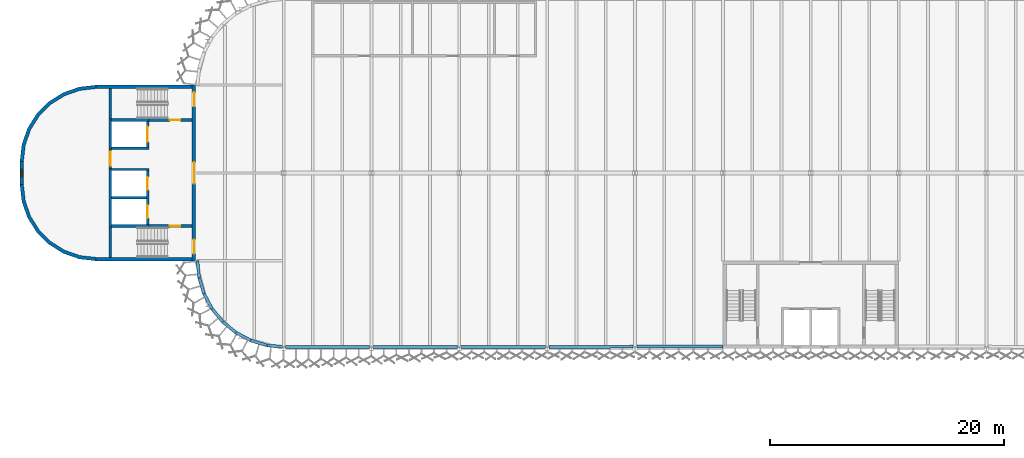
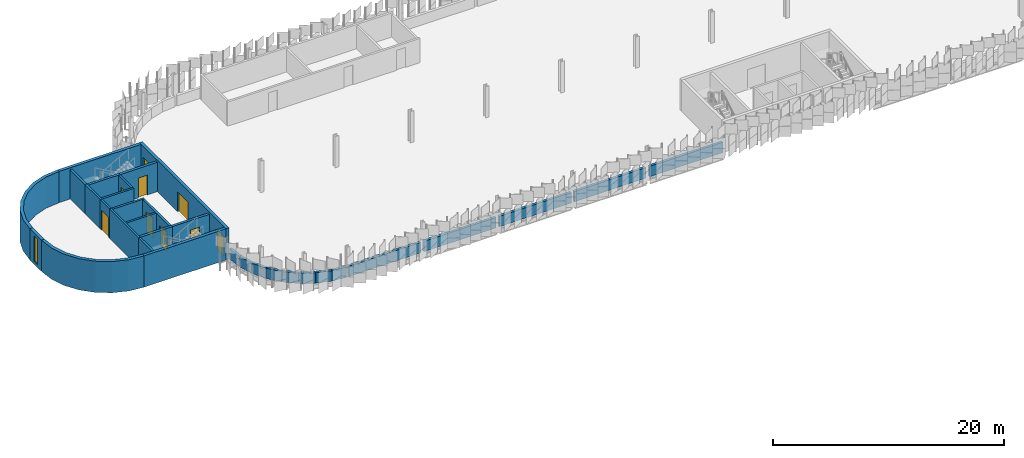
# One storey, part 49 of 198: 33 walls, 9 doors, 1 window, 10 openings.
"""IFC4 building model written with IfcOpenShell, lengths in metres."""

from ifc_helpers import new_model, si_unit, direction, frame, frame_2d, origin, place, context, subcontext, project, spatial, polyline, rectangle, outline, extrude, material, layer, layer_set, type_object, element, fill, save


model = new_model("IFC4")

# Units and contexts
model_context = context("Model", 3, precision=1e-05, world=origin(), true_north=direction((0.0, 1.0)))
body_context = subcontext(model_context, "Body", "Model", "MODEL_VIEW")
ifc_project = project(units=[si_unit("LENGTHUNIT", "METRE"), si_unit("AREAUNIT", "SQUARE_METRE"), si_unit("VOLUMEUNIT", "CUBIC_METRE"), si_unit("PLANEANGLEUNIT", "RADIAN"), si_unit("MASSUNIT", "GRAM", prefix="KILO")], contexts=[model_context])

# Site, building, storey
site_placement = place(None, origin())
site = spatial("IfcSite", under=ifc_project, at=site_placement, CompositionType="ELEMENT")
building_placement = place(site_placement, origin())
building = spatial("IfcBuilding", under=site, at=building_placement, Name="Parallax Yard Mobility Hub", CompositionType="ELEMENT")
storey_placement = place(building_placement, frame((0.0, 0.0, 6.60009765625)))
storey = spatial("IfcBuildingStorey", under=building, at=storey_placement, Name="L02", CompositionType="ELEMENT", Elevation=6.60009765625)

# Wall, openings, doors
ifc_material_1 = material(Name="Concrete fc' 35 MPa", Category="concrete")
ifc_layer_1 = layer(ifc_material_1, 0.300048828125)
ifc_layer_set_1 = layer_set([ifc_layer_1], Name="Concrete fc' 35 MPa core wall 300")
wall_type_1 = type_object("IfcWallType", Name="Concrete fc' 35 MPa core wall 300", PredefinedType="SHEAR", material=ifc_layer_set_1)
wall_1_placement = place(storey_placement, frame((22.35009765625, 135.0, 0.0), z_axis=(0.0, 0.0, 1.0), x_axis=(0.0, -1.0, 0.0)))
wall_1 = element("IfcWall", 1, at=wall_1_placement, inside=storey, type_object=wall_type_1, Name="Core C-W entry wall level L02", PredefinedType="SHEAR", context=body_context, shape_type="SweptSolid", body=[
    extrude(rectangle(XDim=15.0, YDim=0.300048828125, at=frame_2d((7.5, 0.0))), origin(), (0.0, 0.0, 1.0), 3.2998046875),
])
opening_1_placement = place(wall_1_placement, frame((13.179931640625, 0.0, 0.0)))
opening_1 = element("IfcOpeningElement", 2, at=opening_1_placement, cuts=wall_1, Name="Opening L02-D700", PredefinedType="OPENING", context=body_context, shape_type="SweptSolid", body=[
    extrude(rectangle(XDim=1.199951171875, YDim=2.10009765625, at=frame_2d((0.60009765625, 1.050048828125))), frame((0.0, 0.16015625, 0.0), z_axis=(0.0, -1.0, 0.0), x_axis=(1.0, 0.0, 0.0)), (0.0, 0.0, 1.0), 0.320068359375),
])
opening_2_placement = place(wall_1_placement, frame((0.6201171875, 0.0, 0.0)))
opening_2 = element("IfcOpeningElement", 3, at=opening_2_placement, cuts=wall_1, Name="Opening L02-D701", PredefinedType="OPENING", context=body_context, shape_type="SweptSolid", body=[
    extrude(rectangle(XDim=1.199951171875, YDim=2.10009765625, at=frame_2d((0.60009765625, 1.050048828125))), frame((0.0, 0.16015625, 0.0), z_axis=(0.0, -1.0, 0.0), x_axis=(1.0, 0.0, 0.0)), (0.0, 0.0, 1.0), 0.320068359375),
])
opening_3_placement = place(wall_1_placement, frame((6.60009765625, 0.0, 0.0)))
opening_3 = element("IfcOpeningElement", 4, at=opening_3_placement, cuts=wall_1, Name="Opening L02-D702", PredefinedType="OPENING", context=body_context, shape_type="SweptSolid", body=[
    extrude(rectangle(XDim=1.800048828125, YDim=2.10009765625, at=frame_2d((0.89990234375, 1.050048828125))), frame((0.0, 0.16015625, 0.0), z_axis=(0.0, -1.0, 0.0), x_axis=(1.0, 0.0, 0.0)), (0.0, 0.0, 1.0), 0.320068359375),
])
ifc_material_2 = material(Name="Hollow metal steel door and frame", Category="steel")
door_type_1 = type_object("IfcDoorType", Name="Core door 1200 x 2100 FD90", OperationType="NOTDEFINED", PredefinedType="DOOR", material=ifc_material_2)
door_1_placement = place(opening_1_placement, origin())
door_1 = element("IfcDoor", 5, at=door_1_placement, inside=storey, type_object=door_type_1, Name="Stair deck door L02-D700, core C-W level L02", OperationType="SINGLE_SWING_RIGHT", OverallHeight=2.10009765625, OverallWidth=1.199951171875, PredefinedType="DOOR", context=body_context, shape_type="SweptSolid", body=[
    extrude(rectangle(XDim=1.199951171875, YDim=2.10009765625, at=frame_2d((0.60009765625, 1.050048828125))), frame((0.0, 0.02490234375, 0.0), z_axis=(0.0, -1.0, 0.0), x_axis=(1.0, 0.0, 0.0)), (0.0, 0.0, 1.0), 0.050048828125),
])
fill(opening_1, door_1)
door_2_placement = place(opening_2_placement, origin())
door_2 = element("IfcDoor", 6, at=door_2_placement, inside=storey, type_object=door_type_1, Name="Stair deck door L02-D701, core C-W level L02", OperationType="SINGLE_SWING_LEFT", OverallHeight=2.10009765625, OverallWidth=1.199951171875, PredefinedType="DOOR", context=body_context, shape_type="SweptSolid", body=[
    extrude(rectangle(XDim=1.199951171875, YDim=2.10009765625, at=frame_2d((0.60009765625, 1.050048828125))), frame((0.0, 0.02490234375, 0.0), z_axis=(0.0, -1.0, 0.0), x_axis=(1.0, 0.0, 0.0)), (0.0, 0.0, 1.0), 0.050048828125),
])
fill(opening_2, door_2)
door_type_2 = type_object("IfcDoorType", Name="Core double door 1800 x 2100 FD90", OperationType="NOTDEFINED", PredefinedType="DOOR", material=ifc_material_2)
door_3_placement = place(opening_3_placement, origin())
door_3 = element("IfcDoor", 7, at=door_3_placement, inside=storey, type_object=door_type_2, Name="Lift lobby door L02-D702, core C-W level L02", OperationType="DOUBLE_DOOR_SINGLE_SWING", OverallHeight=2.10009765625, OverallWidth=1.800048828125, PredefinedType="DOOR", context=body_context, shape_type="SweptSolid", body=[
    extrude(rectangle(XDim=1.800048828125, YDim=2.10009765625, at=frame_2d((0.89990234375, 1.050048828125))), frame((0.0, 0.02490234375, 0.0), z_axis=(0.0, -1.0, 0.0), x_axis=(1.0, 0.0, 0.0)), (0.0, 0.0, 1.0), 0.050048828125),
])
fill(opening_3, door_3)

# Wall, opening, window
wall_2_placement = place(storey_placement, frame((7.64990234375, 126.5, 0.0), z_axis=(0.0, 0.0, 1.0), x_axis=(0.0, 1.0, 0.0)))
wall_2 = element("IfcWall", 8, at=wall_2_placement, inside=storey, type_object=wall_type_1, Name="Core C-W back wall level L02", PredefinedType="SHEAR", context=body_context, shape_type="SweptSolid", body=[
    extrude(rectangle(XDim=2.0, YDim=0.300048828125, at=frame_2d((1.0, 0.0))), origin(), (0.0, 0.0, 1.0), 3.2998046875),
])
opening_4_placement = place(wall_2_placement, frame((0.699951171875, 0.0, 0.300048828125)))
opening_4 = element("IfcOpeningElement", 9, at=opening_4_placement, cuts=wall_2, Name="Opening CW-S1", PredefinedType="OPENING", context=body_context, shape_type="SweptSolid", body=[
    extrude(rectangle(XDim=0.60009765625, YDim=2.699951171875, at=frame_2d((0.300048828125, 1.35009765625))), frame((0.0, 0.16015625, 0.0), z_axis=(0.0, -1.0, 0.0), x_axis=(1.0, 0.0, 0.0)), (0.0, 0.0, 1.0), 0.320068359375),
])
ifc_material_3 = material(Name="Fire-resisting glazing in a steel frame", Category="steel")
window_type = type_object("IfcWindowType", Name="Core slot window 600 x 2700", PartitioningType="SINGLE_PANEL", PredefinedType="WINDOW", material=ifc_material_3)
window_placement = place(opening_4_placement, origin())
window = element("IfcWindow", 10, at=window_placement, inside=storey, type_object=window_type, Name="Glazed slot 1, core C-W level L02", OverallHeight=2.699951171875, OverallWidth=0.60009765625, PartitioningType="SINGLE_PANEL", PredefinedType="WINDOW", context=body_context, shape_type="SweptSolid", body=[
    extrude(rectangle(XDim=0.60009765625, YDim=2.699951171875, at=frame_2d((0.300048828125, 1.35009765625))), frame((0.0, 0.030029296875, 0.0), z_axis=(0.0, -1.0, 0.0), x_axis=(1.0, 0.0, 0.0)), (0.0, 0.0, 1.0), 0.06005859375),
])
fill(opening_4, window)

# Walls
for number, where, z_axis, x_axis, name in (
    (11, (22.199951171875, 120.14990234375, 0.0), (0.0, 0.0, 1.0), (-1.0, 0.0, 0.0), "Core C-W west-side end wall level L02"),
    (12, (14.0, 134.85009765625, 0.0), (0.0, 0.0, 1.0), (1.0, 0.0, 0.0), "Core C-W east-side end wall level L02"),
):
    element("IfcWall", number, at=place(storey_placement, frame(where, z_axis=z_axis, x_axis=x_axis)), inside=storey, type_object=wall_type_1, Name=name, PredefinedType="SHEAR", context=body_context, shape_type="SweptSolid", body=[
        extrude(rectangle(XDim=8.199951171875, YDim=0.300048828125, at=frame_2d((4.10009765625, 0.0))), origin(), (0.0, 0.0, 1.0), 3.2998046875),
    ])
wall_3_placement = place(storey_placement, origin())
element("IfcWall", 13, at=wall_3_placement, inside=storey, type_object=wall_type_1, Name="Core C-W rounded corner west level L02", PredefinedType="SHEAR", context=body_context, shape_type="SweptSolid", body=[
    extrude(outline(polyline([(14.0, 120.0), (12.5537109375, 120.1630859375), (11.1796875, 120.643798828125), (9.947265625, 121.418212890625), (8.918212890625, 122.447265625), (8.143798828125, 123.6796875), (7.6630859375, 125.0537109375), (7.5, 126.5), (7.800048828125, 126.5), (7.955322265625, 125.120361328125), (8.4140625, 123.809814453125), (9.152587890625, 122.634521484375), (10.134521484375, 121.652587890625), (11.309814453125, 120.9140625), (12.620361328125, 120.455322265625), (14.0, 120.300048828125), (14.0, 120.0)])), origin(), (0.0, 0.0, 1.0), 3.2998046875),
])
wall_4_placement = place(storey_placement, origin())
element("IfcWall", 14, at=wall_4_placement, inside=storey, type_object=wall_type_1, Name="Core C-W rounded corner east level L02", PredefinedType="SHEAR", context=body_context, shape_type="SweptSolid", body=[
    extrude(outline(polyline([(14.0, 135.0), (12.5537109375, 134.8369140625), (11.1796875, 134.356201171875), (9.947265625, 133.581787109375), (8.918212890625, 132.552734375), (8.143798828125, 131.3203125), (7.6630859375, 129.9462890625), (7.5, 128.5), (7.800048828125, 128.5), (7.955322265625, 129.879638671875), (8.4140625, 131.190185546875), (9.152587890625, 132.365478515625), (10.134521484375, 133.347412109375), (11.309814453125, 134.0859375), (12.620361328125, 134.544677734375), (14.0, 134.699951171875), (14.0, 135.0)])), origin(), (0.0, 0.0, 1.0), 3.2998046875),
])

# Wall, openings, doors
ifc_layer_2 = layer(ifc_material_1, 0.199951171875)
ifc_layer_set_2 = layer_set([ifc_layer_2], Name="Concrete fc' 35 MPa internal core wall 200")
wall_type_2 = type_object("IfcWallType", Name="Concrete fc' 35 MPa internal core wall 200", PredefinedType="STANDARD", material=ifc_layer_set_2)
wall_5_placement = place(storey_placement, frame((18.39990234375, 123.10009765625, 0.0), z_axis=(0.0, 0.0, 1.0), x_axis=(0.0, 1.0, 0.0)))
wall_5 = element("IfcWall", 15, at=wall_5_placement, inside=storey, type_object=wall_type_2, Name="Core C-W lift front 1 part 1 level L02", PredefinedType="STANDARD", context=body_context, shape_type="SweptSolid", body=[
    extrude(rectangle(XDim=4.599853515625, YDim=0.199951171875, at=frame_2d((2.2998046875, 0.0))), origin(), (0.0, 0.0, 1.0), 3.099853515625),
])
opening_5_placement = place(wall_5_placement, frame((0.550048828125, 0.0, 0.0)))
opening_5 = element("IfcOpeningElement", 16, at=opening_5_placement, cuts=wall_5, Name="Opening L02-D705", PredefinedType="OPENING", context=body_context, shape_type="SweptSolid", body=[
    extrude(rectangle(XDim=1.10009765625, YDim=2.10009765625, at=frame_2d((0.550048828125, 1.050048828125))), frame((0.0, 0.10986328125, 0.0), z_axis=(0.0, -1.0, 0.0), x_axis=(1.0, 0.0, 0.0)), (0.0, 0.0, 1.0), 0.219970703125),
])
opening_6_placement = place(wall_5_placement, frame((2.949951171875, 0.0, 0.0)))
opening_6 = element("IfcOpeningElement", 17, at=opening_6_placement, cuts=wall_5, Name="Opening L02-D706", PredefinedType="OPENING", context=body_context, shape_type="SweptSolid", body=[
    extrude(rectangle(XDim=1.10009765625, YDim=2.10009765625, at=frame_2d((0.550048828125, 1.050048828125))), frame((0.0, 0.10986328125, 0.0), z_axis=(0.0, -1.0, 0.0), x_axis=(1.0, 0.0, 0.0)), (0.0, 0.0, 1.0), 0.219970703125),
])
ifc_material_4 = material(Name="Stainless steel sliding door and frame", Category="steel")
door_type_3 = type_object("IfcDoorType", Name="Lift landing door 1100 x 2100 FD90", OperationType="DOUBLE_DOOR_SLIDING", PredefinedType="DOOR", material=ifc_material_4)
door_4_placement = place(opening_5_placement, origin())
door_4 = element("IfcDoor", 18, at=door_4_placement, inside=storey, type_object=door_type_3, Name="Lift landing door L02-D705, core C-W level L02", OperationType="DOUBLE_DOOR_SLIDING", OverallHeight=2.10009765625, OverallWidth=1.10009765625, PredefinedType="DOOR", context=body_context, shape_type="SweptSolid", body=[
    extrude(rectangle(XDim=1.10009765625, YDim=2.10009765625, at=frame_2d((0.550048828125, 1.050048828125))), frame((0.0, 0.02490234375, 0.0), z_axis=(0.0, -1.0, 0.0), x_axis=(1.0, 0.0, 0.0)), (0.0, 0.0, 1.0), 0.050048828125),
])
fill(opening_5, door_4)
door_5_placement = place(opening_6_placement, origin())
door_5 = element("IfcDoor", 19, at=door_5_placement, inside=storey, type_object=door_type_3, Name="Lift landing door L02-D706, core C-W level L02", OperationType="DOUBLE_DOOR_SLIDING", OverallHeight=2.10009765625, OverallWidth=1.10009765625, PredefinedType="DOOR", context=body_context, shape_type="SweptSolid", body=[
    extrude(rectangle(XDim=1.10009765625, YDim=2.10009765625, at=frame_2d((0.550048828125, 1.050048828125))), frame((0.0, 0.02490234375, 0.0), z_axis=(0.0, -1.0, 0.0), x_axis=(1.0, 0.0, 0.0)), (0.0, 0.0, 1.0), 0.050048828125),
])
fill(opening_6, door_5)

# Wall, opening, door
wall_6_placement = place(storey_placement, frame((18.39990234375, 129.699951171875, 0.0), z_axis=(0.0, 0.0, 1.0), x_axis=(0.0, 1.0, 0.0)))
wall_6 = element("IfcWall", 20, at=wall_6_placement, inside=storey, type_object=wall_type_2, Name="Core C-W lift front 2 part 2 level L02", PredefinedType="STANDARD", context=body_context, shape_type="SweptSolid", body=[
    extrude(rectangle(XDim=2.199951171875, YDim=0.199951171875, at=frame_2d((1.10009765625, 0.0))), origin(), (0.0, 0.0, 1.0), 3.099853515625),
])
opening_7_placement = place(wall_6_placement, frame((0.449951171875, 0.0, 0.0)))
opening_7 = element("IfcOpeningElement", 21, at=opening_7_placement, cuts=wall_6, Name="Opening L02-D707", PredefinedType="OPENING", context=body_context, shape_type="SweptSolid", body=[
    extrude(rectangle(XDim=1.300048828125, YDim=2.10009765625, at=frame_2d((0.64990234375, 1.050048828125))), frame((0.0, 0.10986328125, 0.0), z_axis=(0.0, -1.0, 0.0), x_axis=(1.0, 0.0, 0.0)), (0.0, 0.0, 1.0), 0.219970703125),
])
door_type_4 = type_object("IfcDoorType", Name="Goods lift landing door 1300 x 2100 FD90", OperationType="DOUBLE_DOOR_SLIDING", PredefinedType="DOOR", material=ifc_material_4)
door_6_placement = place(opening_7_placement, origin())
door_6 = element("IfcDoor", 22, at=door_6_placement, inside=storey, type_object=door_type_4, Name="Lift landing door L02-D707, core C-W level L02", OperationType="DOUBLE_DOOR_SLIDING", OverallHeight=2.10009765625, OverallWidth=1.300048828125, PredefinedType="DOOR", context=body_context, shape_type="SweptSolid", body=[
    extrude(rectangle(XDim=1.300048828125, YDim=2.10009765625, at=frame_2d((0.64990234375, 1.050048828125))), frame((0.0, 0.02490234375, 0.0), z_axis=(0.0, -1.0, 0.0), x_axis=(1.0, 0.0, 0.0)), (0.0, 0.0, 1.0), 0.050048828125),
])
fill(opening_7, door_6)

# Walls
wall_7_placement = place(storey_placement, frame((18.300048828125, 125.39990234375, 0.0), z_axis=(0.0, 0.0, 1.0), x_axis=(-1.0, 0.0, 0.0)))
element("IfcWall", 23, at=wall_7_placement, inside=storey, type_object=wall_type_2, Name="Core C-W lift wall 1 part 1 level L02", PredefinedType="STANDARD", context=body_context, shape_type="SweptSolid", body=[
    extrude(rectangle(XDim=3.0, YDim=0.199951171875, at=frame_2d((1.5, 0.0))), origin(), (0.0, 0.0, 1.0), 3.099853515625),
])
for number, where, z_axis, x_axis, name in (
    (24, (18.5, 127.800048828125, 0.0), (0.0, 0.0, 1.0), (-1.0, 0.0, 0.0), "Core C-W lift wall 2 part 2 level L02"),
    (25, (18.5, 129.60009765625, 0.0), (0.0, 0.0, 1.0), (-1.0, 0.0, 0.0), "Core C-W lift wall 3 part 3 level L02"),
):
    element("IfcWall", number, at=place(storey_placement, frame(where, z_axis=z_axis, x_axis=x_axis)), inside=storey, type_object=wall_type_2, Name=name, PredefinedType="STANDARD", context=body_context, shape_type="SweptSolid", body=[
        extrude(rectangle(XDim=3.199951171875, YDim=0.199951171875, at=frame_2d((1.60009765625, 0.0))), origin(), (0.0, 0.0, 1.0), 3.099853515625),
    ])
wall_8_placement = place(storey_placement, frame((15.199951171875, 120.300048828125, 0.0), z_axis=(0.0, 0.0, 1.0), x_axis=(0.0, 1.0, 0.0)))
element("IfcWall", 26, at=wall_8_placement, inside=storey, type_object=wall_type_2, Name="Core C-W plant wall 1 part 1 level L02", PredefinedType="STANDARD", context=body_context, shape_type="SweptSolid", body=[
    extrude(rectangle(XDim=2.550048828125, YDim=0.199951171875, at=frame_2d((1.27490234375, 0.0))), origin(), (0.0, 0.0, 1.0), 3.099853515625),
])
wall_9_placement = place(storey_placement, frame((15.199951171875, 122.85009765625, 0.0), z_axis=(0.0, 0.0, 1.0), x_axis=(0.0, 1.0, 0.0)))
element("IfcWall", 27, at=wall_9_placement, inside=storey, type_object=wall_type_2, Name="Core C-W plant wall 2 part 2 level L02", PredefinedType="STANDARD", context=body_context, shape_type="SweptSolid", body=[
    extrude(rectangle(XDim=5.0498046875, YDim=0.199951171875, at=frame_2d((2.52490234375, 0.0))), origin(), (0.0, 0.0, 1.0), 3.099853515625),
])

# Wall, opening, door
wall_10_placement = place(storey_placement, frame((15.199951171875, 127.89990234375, 0.0), z_axis=(0.0, 0.0, 1.0), x_axis=(0.0, 1.0, 0.0)))
wall_10 = element("IfcWall", 28, at=wall_10_placement, inside=storey, type_object=wall_type_2, Name="Core C-W plant wall 3 part 3 level L02", PredefinedType="STANDARD", context=body_context, shape_type="SweptSolid", body=[
    extrude(rectangle(XDim=1.60009765625, YDim=0.199951171875, at=frame_2d((0.800048828125, 0.0))), origin(), (0.0, 0.0, 1.0), 3.099853515625),
])
opening_8_placement = place(wall_10_placement, frame((0.199951171875, 0.0, 0.0)))
opening_8 = element("IfcOpeningElement", 29, at=opening_8_placement, cuts=wall_10, Name="Opening L02-D708", PredefinedType="OPENING", context=body_context, shape_type="SweptSolid", body=[
    extrude(rectangle(XDim=1.199951171875, YDim=2.10009765625, at=frame_2d((0.60009765625, 1.050048828125))), frame((0.0, 0.10986328125, 0.0), z_axis=(0.0, -1.0, 0.0), x_axis=(1.0, 0.0, 0.0)), (0.0, 0.0, 1.0), 0.219970703125),
])
door_7_placement = place(opening_8_placement, origin())
door_7 = element("IfcDoor", 30, at=door_7_placement, inside=storey, type_object=door_type_1, Name="Plant room door L02-D708, core C-W level L02", OperationType="SINGLE_SWING_RIGHT", OverallHeight=2.10009765625, OverallWidth=1.199951171875, PredefinedType="DOOR", context=body_context, shape_type="SweptSolid", body=[
    extrude(rectangle(XDim=1.199951171875, YDim=2.10009765625, at=frame_2d((0.60009765625, 1.050048828125))), frame((0.0, 0.02490234375, 0.0), z_axis=(0.0, -1.0, 0.0), x_axis=(1.0, 0.0, 0.0)), (0.0, 0.0, 1.0), 0.050048828125),
])
fill(opening_8, door_7)

# Walls
wall_11_placement = place(storey_placement, frame((15.199951171875, 129.5, 0.0), z_axis=(0.0, 0.0, 1.0), x_axis=(0.0, 1.0, 0.0)))
element("IfcWall", 31, at=wall_11_placement, inside=storey, type_object=wall_type_2, Name="Core C-W plant wall 4 part 4 level L02", PredefinedType="STANDARD", context=body_context, shape_type="SweptSolid", body=[
    extrude(rectangle(XDim=2.64990234375, YDim=0.199951171875, at=frame_2d((1.324951171875, 0.0))), origin(), (0.0, 0.0, 1.0), 3.099853515625),
])
wall_12_placement = place(storey_placement, frame((15.199951171875, 132.14990234375, 0.0), z_axis=(0.0, 0.0, 1.0), x_axis=(0.0, 1.0, 0.0)))
element("IfcWall", 32, at=wall_12_placement, inside=storey, type_object=wall_type_2, Name="Core C-W plant wall 5 part 5 level L02", PredefinedType="STANDARD", context=body_context, shape_type="SweptSolid", body=[
    extrude(rectangle(XDim=2.550048828125, YDim=0.199951171875, at=frame_2d((1.27490234375, 0.0))), origin(), (0.0, 0.0, 1.0), 3.099853515625),
])

# Wall, opening, door
ifc_layer_3 = layer(ifc_material_1, 0.25)
ifc_layer_set_3 = layer_set([ifc_layer_3], Name="Concrete fc' 35 MPa stair enclosure wall 250")
wall_type_3 = type_object("IfcWallType", Name="Concrete fc' 35 MPa stair enclosure wall 250", PredefinedType="STANDARD", material=ifc_layer_set_3)
wall_13_placement = place(storey_placement, frame((22.199951171875, 122.97509765625, 0.0), z_axis=(0.0, 0.0, 1.0), x_axis=(-1.0, 0.0, 0.0)))
wall_13 = element("IfcWall", 33, at=wall_13_placement, inside=storey, type_object=wall_type_3, Name="Core C-W stair 1 partition 1 part 1 level L02", PredefinedType="STANDARD", context=body_context, shape_type="SweptSolid", body=[
    extrude(rectangle(XDim=3.699951171875, YDim=0.25, at=frame_2d((1.85009765625, 0.0))), origin(), (0.0, 0.0, 1.0), 3.099853515625),
])
opening_9_placement = place(wall_13_placement, frame((1.0, 0.0, 0.0)))
opening_9 = element("IfcOpeningElement", 34, at=opening_9_placement, cuts=wall_13, Name="Opening L02-D703", PredefinedType="OPENING", context=body_context, shape_type="SweptSolid", body=[
    extrude(rectangle(XDim=0.89990234375, YDim=2.10009765625, at=frame_2d((0.449951171875, 1.050048828125))), frame((0.0, 0.135009765625, 0.0), z_axis=(0.0, -1.0, 0.0), x_axis=(1.0, 0.0, 0.0)), (0.0, 0.0, 1.0), 0.27001953125),
])
door_type_5 = type_object("IfcDoorType", Name="Core door 900 x 2100 FD90", OperationType="NOTDEFINED", PredefinedType="DOOR", material=ifc_material_2)
door_8_placement = place(opening_9_placement, origin())
door_8 = element("IfcDoor", 35, at=door_8_placement, inside=storey, type_object=door_type_5, Name="Stair lobby door L02-D703, core C-W level L02", OperationType="SINGLE_SWING_LEFT", OverallHeight=2.10009765625, OverallWidth=0.89990234375, PredefinedType="DOOR", context=body_context, shape_type="SweptSolid", body=[
    extrude(rectangle(XDim=0.89990234375, YDim=2.10009765625, at=frame_2d((0.449951171875, 1.050048828125))), frame((0.0, 0.02490234375, 0.0), z_axis=(0.0, -1.0, 0.0), x_axis=(1.0, 0.0, 0.0)), (0.0, 0.0, 1.0), 0.050048828125),
])
fill(opening_9, door_8)

# Wall
wall_14_placement = place(storey_placement, frame((18.5, 122.97509765625, 0.0), z_axis=(0.0, 0.0, 1.0), x_axis=(-1.0, 0.0, 0.0)))
element("IfcWall", 36, at=wall_14_placement, inside=storey, type_object=wall_type_3, Name="Core C-W stair 1 partition 2 part 2 level L02", PredefinedType="STANDARD", context=body_context, shape_type="SweptSolid", body=[
    extrude(rectangle(XDim=3.199951171875, YDim=0.25, at=frame_2d((1.60009765625, 0.0))), origin(), (0.0, 0.0, 1.0), 3.099853515625),
])

# Wall, opening, door
wall_15_placement = place(storey_placement, frame((18.5, 132.02490234375, 0.0), z_axis=(0.0, 0.0, 1.0), x_axis=(1.0, 0.0, 0.0)))
wall_15 = element("IfcWall", 37, at=wall_15_placement, inside=storey, type_object=wall_type_3, Name="Core C-W stair 2 partition 1 part 1 level L02", PredefinedType="STANDARD", context=body_context, shape_type="SweptSolid", body=[
    extrude(rectangle(XDim=3.699951171875, YDim=0.25, at=frame_2d((1.85009765625, 0.0))), origin(), (0.0, 0.0, 1.0), 3.099853515625),
])
opening_10_placement = place(wall_15_placement, frame((1.800048828125, 0.0, 0.0)))
opening_10 = element("IfcOpeningElement", 38, at=opening_10_placement, cuts=wall_15, Name="Opening L02-D704", PredefinedType="OPENING", context=body_context, shape_type="SweptSolid", body=[
    extrude(rectangle(XDim=0.89990234375, YDim=2.10009765625, at=frame_2d((0.449951171875, 1.050048828125))), frame((0.0, 0.135009765625, 0.0), z_axis=(0.0, -1.0, 0.0), x_axis=(1.0, 0.0, 0.0)), (0.0, 0.0, 1.0), 0.27001953125),
])
door_9_placement = place(opening_10_placement, origin())
door_9 = element("IfcDoor", 39, at=door_9_placement, inside=storey, type_object=door_type_5, Name="Stair lobby door L02-D704, core C-W level L02", OperationType="SINGLE_SWING_RIGHT", OverallHeight=2.10009765625, OverallWidth=0.89990234375, PredefinedType="DOOR", context=body_context, shape_type="SweptSolid", body=[
    extrude(rectangle(XDim=0.89990234375, YDim=2.10009765625, at=frame_2d((0.449951171875, 1.050048828125))), frame((0.0, 0.02490234375, 0.0), z_axis=(0.0, -1.0, 0.0), x_axis=(1.0, 0.0, 0.0)), (0.0, 0.0, 1.0), 0.050048828125),
])
fill(opening_10, door_9)

# Walls
wall_16_placement = place(storey_placement, frame((18.5, 132.02490234375, 0.0), z_axis=(0.0, 0.0, 1.0), x_axis=(-1.0, 0.0, 0.0)))
element("IfcWall", 40, at=wall_16_placement, inside=storey, type_object=wall_type_3, Name="Core C-W stair 2 partition 2 part 2 level L02", PredefinedType="STANDARD", context=body_context, shape_type="SweptSolid", body=[
    extrude(rectangle(XDim=3.199951171875, YDim=0.25, at=frame_2d((1.60009765625, 0.0))), origin(), (0.0, 0.0, 1.0), 3.099853515625),
])
ifc_layer_4 = layer(ifc_material_1, 0.25)
ifc_layer_set_4 = layer_set([ifc_layer_4], Name="Deck-edge barrier wall, Concrete fc' 35 MPa precast, 250")
wall_type_4 = type_object("IfcWallType", Name="Deck-edge barrier wall, Concrete fc' 35 MPa precast, 250", PredefinedType="SOLIDWALL", material=ifc_layer_set_4)
wall_17_placement = place(storey_placement, frame((30.152587890625, 112.648681640625, 0.0), z_axis=(0.0, 0.0, 1.0), x_axis=(0.999999917119, -0.000407138461, 0.0)))
element("IfcWall", 41, at=wall_17_placement, inside=storey, type_object=wall_type_4, Name="Deck-edge barrier wall bay 1 level L02", PredefinedType="SOLIDWALL", context=body_context, shape_type="SweptSolid", body=[
    extrude(rectangle(XDim=7.19580078125, YDim=0.25, at=frame_2d((3.597900390625, 0.0))), origin(), (0.0, 0.0, 1.0), 1.099853515625),
])
for number, where, z_axis, x_axis, name in (
    (42, (37.651611328125, 112.645751953125, 0.0), (0.0, 0.0, 1.0), (1.0, 0.0, 0.0), "Deck-edge barrier wall bay 2 level L02"),
    (43, (45.151611328125, 112.645751953125, 0.0), (0.0, 0.0, 1.0), (1.0, 0.0, 0.0), "Deck-edge barrier wall bay 3 level L02"),
):
    element("IfcWall", number, at=place(storey_placement, frame(where, z_axis=z_axis, x_axis=x_axis)), inside=storey, type_object=wall_type_4, Name=name, PredefinedType="SOLIDWALL", context=body_context, shape_type="SweptSolid", body=[
        extrude(rectangle(XDim=7.19677734375, YDim=0.25, at=frame_2d((3.598388671875, 0.0))), origin(), (0.0, 0.0, 1.0), 1.099853515625),
    ])
wall_18_placement = place(storey_placement, frame((52.651611328125, 112.645751953125, 0.0), z_axis=(0.0, 0.0, 1.0), x_axis=(0.999993224794, 0.003681082119, 0.0)))
element("IfcWall", 44, at=wall_18_placement, inside=storey, type_object=wall_type_4, Name="Deck-edge barrier wall bay 4 level L02", PredefinedType="SOLIDWALL", context=body_context, shape_type="SweptSolid", body=[
    extrude(rectangle(XDim=7.162841796875, YDim=0.25, at=frame_2d((3.58154296875, 0.0))), origin(), (0.0, 0.0, 1.0), 1.099853515625),
])
wall_19_placement = place(storey_placement, frame((60.185546875, 112.672119140625, 0.0), z_axis=(0.0, 0.0, 1.0), x_axis=(1.0, 0.0, 0.0)))
element("IfcWall", 45, at=wall_19_placement, inside=storey, type_object=wall_type_4, Name="Deck-edge barrier wall bay 5 level L02", PredefinedType="SOLIDWALL", context=body_context, shape_type="SweptSolid", body=[
    extrude(rectangle(XDim=7.3095703125, YDim=0.25, at=frame_2d((3.65478515625, 0.0))), origin(), (0.0, 0.0, 1.0), 1.099853515625),
])
wall_20_placement = place(storey_placement, frame((22.6484375, 120.009521484375, 0.0), z_axis=(0.0, 0.0, 1.0), x_axis=(0.098664443357, -0.995120760319, 0.0)))
element("IfcWall", 46, at=wall_20_placement, inside=storey, type_object=wall_type_4, Name="Deck-edge barrier wall bay 72-1 level L02", PredefinedType="SOLIDWALL", context=body_context, shape_type="SweptSolid", body=[
    extrude(rectangle(XDim=1.440185546875, YDim=0.25, at=frame_2d((0.72021484375, 0.0))), origin(), (0.0, 0.0, 1.0), 1.099853515625),
])
wall_21_placement = place(storey_placement, frame((22.796142578125, 118.547607421875, 0.0), z_axis=(0.0, 0.0, 1.0), x_axis=(0.29088617111, -0.956757668094, 0.0)))
element("IfcWall", 47, at=wall_21_placement, inside=storey, type_object=wall_type_4, Name="Deck-edge barrier wall bay 72-2 level L02", PredefinedType="SOLIDWALL", context=body_context, shape_type="SweptSolid", body=[
    extrude(rectangle(XDim=1.410888671875, YDim=0.25, at=frame_2d((0.70556640625, 0.0))), origin(), (0.0, 0.0, 1.0), 1.099853515625),
])
wall_22_placement = place(storey_placement, frame((23.2177734375, 117.170654296875, 0.0), z_axis=(0.0, 0.0, 1.0), x_axis=(0.471755514131, -0.881729400036, 0.0)))
element("IfcWall", 48, at=wall_22_placement, inside=storey, type_object=wall_type_4, Name="Deck-edge barrier wall bay 72-3 level L02", PredefinedType="SOLIDWALL", context=body_context, shape_type="SweptSolid", body=[
    extrude(rectangle(XDim=1.41064453125, YDim=0.25, at=frame_2d((0.705322265625, 0.0))), origin(), (0.0, 0.0, 1.0), 1.099853515625),
])
for number, where, z_axis, x_axis, name in (
    (49, (23.899658203125, 115.90234375, 0.0), (0.0, 0.0, 1.0), (0.634584414378, -0.772853557298, 0.0), "Deck-edge barrier wall bay 72-4 level L02"),
    (50, (24.815673828125, 114.79150390625, 0.0), (0.0, 0.0, 1.0), (0.773077721596, -0.634311308722, 0.0), "Deck-edge barrier wall bay 72-5 level L02"),
    (51, (25.930908203125, 113.88037109375, 0.0), (0.0, 0.0, 1.0), (0.882022197163, -0.471207856165, 0.0), "Deck-edge barrier wall bay 72-6 level L02"),
    (52, (27.202392578125, 113.204345703125, 0.0), (0.0, 0.0, 1.0), (0.956964711872, -0.290204307741, 0.0), "Deck-edge barrier wall bay 72-7 level L02"),
):
    element("IfcWall", number, at=place(storey_placement, frame(where, z_axis=z_axis, x_axis=x_axis)), inside=storey, type_object=wall_type_4, Name=name, PredefinedType="SOLIDWALL", context=body_context, shape_type="SweptSolid", body=[
        extrude(rectangle(XDim=1.410888671875, YDim=0.25, at=frame_2d((0.70556640625, 0.0))), origin(), (0.0, 0.0, 1.0), 1.099853515625),
    ])
wall_23_placement = place(storey_placement, frame((28.581298828125, 112.789306640625, 0.0), z_axis=(0.0, 0.0, 1.0), x_axis=(0.995176263333, -0.098103032051, 0.0)))
element("IfcWall", 53, at=wall_23_placement, inside=storey, type_object=wall_type_4, Name="Deck-edge barrier wall bay 72-8 level L02", PredefinedType="SOLIDWALL", context=body_context, shape_type="SweptSolid", body=[
    extrude(rectangle(XDim=1.328857421875, YDim=0.25, at=frame_2d((0.66455078125, 0.0))), origin(), (0.0, 0.0, 1.0), 1.099853515625),
])

save(model, "model.ifc")
